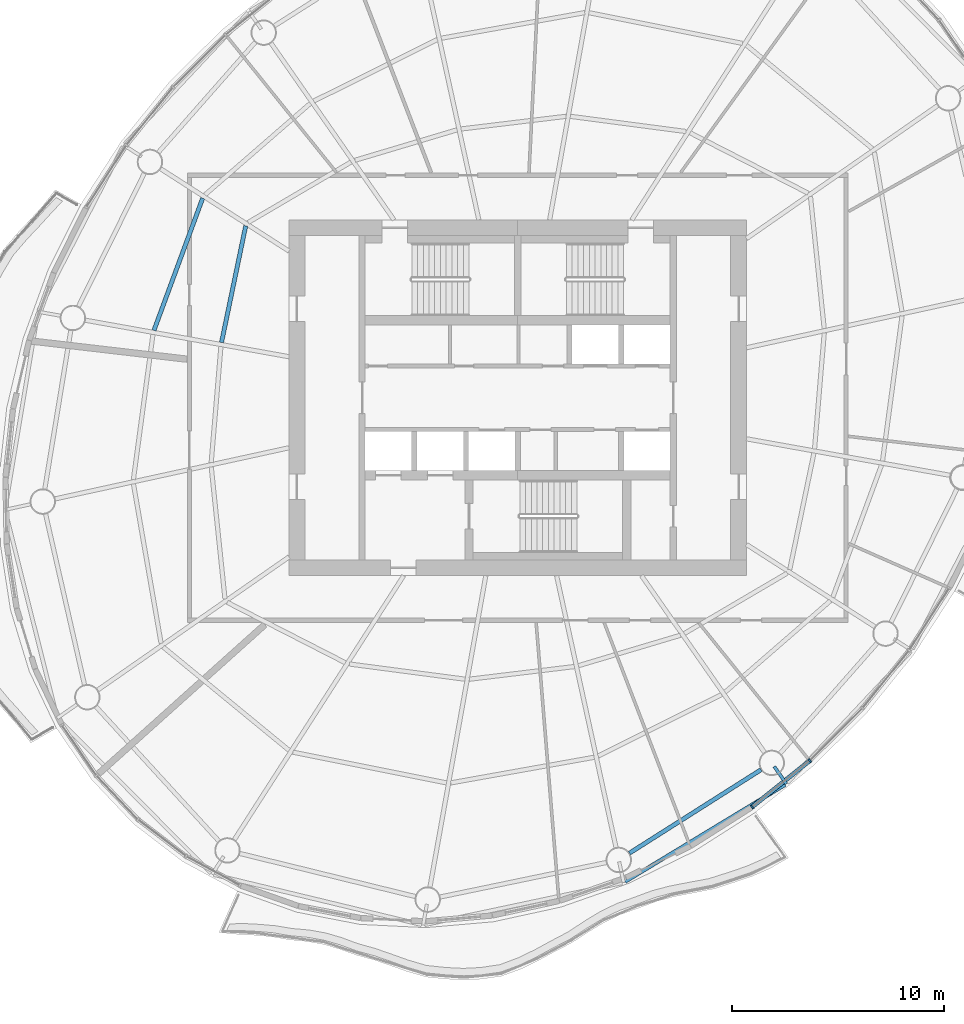
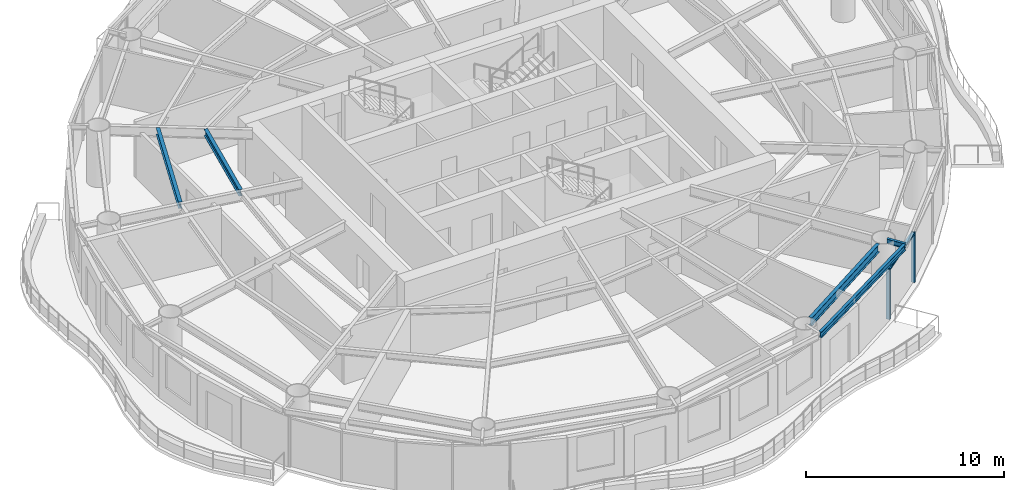
# One storey, part 3 of 14: 5 beams, 3 members, 2 elements without a shape of their own.
"""IFC4 building model written with IfcOpenShell, lengths in metres."""

from ifc_helpers import new_model, si_unit, direction, frame, origin, origin_2d, place, context, subcontext, project, spatial, rectangle, i_section, extrude, material, material_profile, profile_set, type_object, element, aggregate, save


model = new_model("IFC4")

# Units and contexts
model_context = context("Model", 3, precision=1e-05, world=origin(), true_north=direction((0.0, 1.0)))
body_context = subcontext(model_context, "Body", "Model", "MODEL_VIEW")
ifc_project = project(units=[si_unit("LENGTHUNIT", "METRE"), si_unit("AREAUNIT", "SQUARE_METRE"), si_unit("VOLUMEUNIT", "CUBIC_METRE"), si_unit("PLANEANGLEUNIT", "RADIAN"), si_unit("MASSUNIT", "GRAM", prefix="KILO")], contexts=[model_context])

# Site, building, storey
site_placement = place(None, origin())
site = spatial("IfcSite", under=ifc_project, at=site_placement, CompositionType="ELEMENT")
building_placement = place(site_placement, origin())
building = spatial("IfcBuilding", under=site, at=building_placement, Name="Vermilion Reach Broadcast Tower", CompositionType="ELEMENT")
storey_placement = place(building_placement, frame((0.0, 0.0, 224.5)))
storey = spatial("IfcBuildingStorey", under=building, at=storey_placement, Name="L55", CompositionType="ELEMENT", Elevation=224.5)

# Beams
ifc_material_1 = material(Name="Steel S355J2", Category="steel")
ifc_material_profile_1 = material_profile(ifc_material_1, i_section(OverallWidth=0.175048828125, OverallDepth=0.35009765625, WebThickness=0.007080078125, FlangeThickness=0.010986328125, at=origin_2d()), Name="S355J2 HN 350x175x7x11")
ifc_profile_set_1 = profile_set([ifc_material_profile_1], Name="Steel S355J2")
beam_type_1 = type_object("IfcBeamType", Name="EB4 HN 350x175x7x11", PredefinedType="BEAM", material=ifc_profile_set_1)
beam_1_placement = place(storey_placement, frame((-0.929931640625, -22.843505859375, 3.27490234375), z_axis=(0.855212690142, 0.518277198631, 0.0), x_axis=(-0.518277198631, 0.855212690142, 0.0)))
element("IfcBeam", 1, at=beam_1_placement, inside=storey, type_object=beam_type_1, Name="Edge beam EB4-11", PredefinedType="BEAM", context=body_context, shape_type="SweptSolid", body=[
    extrude(i_section(OverallWidth=0.175048828125, OverallDepth=0.35009765625, WebThickness=0.007080078125, FlangeThickness=0.010986328125, at=origin_2d()), origin(), (0.0, 0.0, 1.0), 8.82763671875),
])
ifc_material_2 = material(Name="Steel S355J2", Category="steel")
ifc_material_profile_2 = material_profile(ifc_material_2, i_section(OverallWidth=0.14990234375, OverallDepth=0.300048828125, WebThickness=0.006591796875, FlangeThickness=0.009033203125, at=origin_2d()), Name="S355J2 HN 300x150x6.5x9")
ifc_profile_set_2 = profile_set([ifc_material_profile_2], Name="Steel S355J2")
beam_type_2 = type_object("IfcBeamType", Name="GS4 HN 300x150x6.5x9", PredefinedType="BEAM", material=ifc_profile_set_2)
beam_2_placement = place(storey_placement, frame((6.11279296875, -17.408447265625, 3.300048828125), z_axis=(0.571100256946, -0.820880318022, 0.0), x_axis=(0.820880318022, 0.571100256946, 0.0)))
element("IfcBeam", 2, at=beam_2_placement, inside=storey, type_object=beam_type_2, Name="Cantilever stub GS4-12", PredefinedType="BEAM", context=body_context, shape_type="SweptSolid", body=[
    extrude(i_section(OverallWidth=0.14990234375, OverallDepth=0.300048828125, WebThickness=0.006591796875, FlangeThickness=0.009033203125, at=origin_2d()), origin(), (0.0, 0.0, 1.0), 1.0),
])
ifc_material_3 = material(Name="Steel S355J2", Category="steel")
ifc_material_profile_3 = material_profile(ifc_material_3, i_section(OverallWidth=0.199951171875, OverallDepth=0.5, WebThickness=0.010009765625, FlangeThickness=0.01611328125, at=origin_2d()), Name="S355J2 HN 500x200x10x16")
ifc_profile_set_3 = profile_set([ifc_material_profile_3], Name="Steel S355J2")
beam_type_3 = type_object("IfcBeamType", Name="RB4 HN 500x200x10x16", PredefinedType="BEAM", material=ifc_profile_set_3)
beam_3_placement = place(storey_placement, frame((-0.72412109375, -21.497314453125, 3.199951171875), z_axis=(0.84446426774, 0.535611893549, 0.0), x_axis=(-0.535611893549, 0.84446426774, 0.0)))
element("IfcBeam", 3, at=beam_3_placement, inside=storey, type_object=beam_type_3, Name="Ring beam RB4-11", PredefinedType="BEAM", context=body_context, shape_type="SweptSolid", body=[
    extrude(i_section(OverallWidth=0.199951171875, OverallDepth=0.5, WebThickness=0.010009765625, FlangeThickness=0.01611328125, at=origin_2d()), origin(), (0.0, 0.0, 1.0), 7.3544921875),
])
ifc_material_4 = material(Name="Steel S355J2", Category="steel")
ifc_material_profile_4 = material_profile(ifc_material_4, i_section(OverallWidth=0.199951171875, OverallDepth=0.39990234375, WebThickness=0.008056640625, FlangeThickness=0.012939453125, at=origin_2d()), Name="S355J2 HN 400x200x8x13")
ifc_profile_set_4 = profile_set([ifc_material_profile_4], Name="Steel S355J2")
beam_type_4 = type_object("IfcBeamType", Name="SB4 HN 400x200x8x13", PredefinedType="BEAM", material=ifc_profile_set_4)
beam_4_placement = place(storey_placement, frame((-18.841064453125, 8.115478515625, 3.25), z_axis=(-0.20320860258, -0.979135467562, 0.0), x_axis=(0.979135467562, -0.20320860258, 0.0)))
element("IfcBeam", 4, at=beam_4_placement, inside=storey, type_object=beam_type_4, Name="Secondary beam SB4-05-1", PredefinedType="BEAM", context=body_context, shape_type="SweptSolid", body=[
    extrude(i_section(OverallWidth=0.199951171875, OverallDepth=0.39990234375, WebThickness=0.008056640625, FlangeThickness=0.012939453125, at=origin_2d()), origin(), (0.0, 0.0, 1.0), 5.622802734375),
])
beam_5_placement = place(storey_placement, frame((-20.8740234375, 9.419189453125, 3.25), z_axis=(-0.345833008621, -0.938296078084, 0.0), x_axis=(0.938296078084, -0.345833008621, 0.0)))
element("IfcBeam", 5, at=beam_5_placement, inside=storey, type_object=beam_type_4, Name="Secondary beam SB4-05-2", PredefinedType="BEAM", context=body_context, shape_type="SweptSolid", body=[
    extrude(i_section(OverallWidth=0.199951171875, OverallDepth=0.39990234375, WebThickness=0.008056640625, FlangeThickness=0.012939453125, at=origin_2d()), origin(), (0.0, 0.0, 1.0), 6.647216796875),
])

# Curtain wall, member
ifc_material_5 = material(Name="Low-e laminated clear glass in aluminium frame", Category="aluminium")
curtain_wall_type = type_object("IfcCurtainWallType", Name="Slot curtain wall", PredefinedType="NOTDEFINED", material=ifc_material_5)
placement = place(storey_placement, origin())
curtain_wall_1 = element("IfcCurtainWall", 6, at=placement, inside=storey, type_object=curtain_wall_type, Name="Slot curtain wall L55 34", PredefinedType="NOTDEFINED")
ifc_material_6 = material(Name="Anodised aluminium", Category="aluminium")
ifc_material_profile_5 = material_profile(ifc_material_6, rectangle(XDim=0.199951171875, YDim=0.080078125, at=origin_2d()), Name="Slot mullion 80 x 200")
ifc_profile_set_5 = profile_set([ifc_material_profile_5], Name="Anodised aluminium")
member_type_1 = type_object("IfcMemberType", Name="Slot mullion 80 x 200", PredefinedType="MULLION", material=ifc_profile_set_5)
member_1_placement = place(storey_placement, frame((5.068603515625, -19.314453125, 0.0), z_axis=(0.0, 0.0, 1.0), x_axis=(-0.582108977861, 0.813110778365, 0.0)))
member_1 = element("IfcMember", 7, at=member_1_placement, type_object=member_type_1, Name="Slot mullion L55 34", PredefinedType="MULLION", context=body_context, shape_type="SweptSolid", body=[
    extrude(rectangle(XDim=0.199951171875, YDim=0.080078125, at=origin_2d()), origin(), (0.0, 0.0, 1.0), 3.10009765625),
])

curtain_wall_2 = element("IfcCurtainWall", 8, at=placement, inside=storey, type_object=curtain_wall_type, Name="Slot curtain wall L55 35", PredefinedType="NOTDEFINED")
member_2_placement = place(storey_placement, frame((7.789794921875, -17.131103515625, 0.0), z_axis=(0.0, 0.0, 1.0), x_axis=(-0.666975615424, 0.745079545035, 0.0)))
member_2 = element("IfcMember", 9, at=member_2_placement, type_object=member_type_1, Name="Slot mullion L55 35", PredefinedType="MULLION", context=body_context, shape_type="SweptSolid", body=[
    extrude(rectangle(XDim=0.199951171875, YDim=0.080078125, at=origin_2d()), origin(), (0.0, 0.0, 1.0), 3.10009765625),
])
aggregate(curtain_wall_2, [member_2])

# Member
ifc_material_7 = material(Name="Anodised aluminium", Category="aluminium")
ifc_material_profile_6 = material_profile(ifc_material_7, rectangle(XDim=0.199951171875, YDim=0.10009765625, at=origin_2d()), Name="Slot transom 200 x 100")
ifc_profile_set_6 = profile_set([ifc_material_profile_6], Name="Anodised aluminium")
member_type_2 = type_object("IfcMemberType", Name="Slot transom 200 x 100", PredefinedType="USERDEFINED", material=ifc_profile_set_6)
member_3_placement = place(storey_placement, frame((5.099853515625, -19.28955078125, 3.050048828125), z_axis=(0.779959611936, 0.625829852075, 0.0), x_axis=(-0.625829852075, 0.779959611936, 0.0)))
member_3 = element("IfcMember", 10, at=member_3_placement, type_object=member_type_2, Name="Slot transom L55 34.1", ObjectType="TRANSOM", PredefinedType="USERDEFINED", context=body_context, shape_type="SweptSolid", body=[
    extrude(rectangle(XDim=0.199951171875, YDim=0.10009765625, at=origin_2d()), origin(), (0.0, 0.0, 1.0), 3.40869140625),
])

aggregate(curtain_wall_1, [member_1, member_3])

save(model, "model.ifc")
